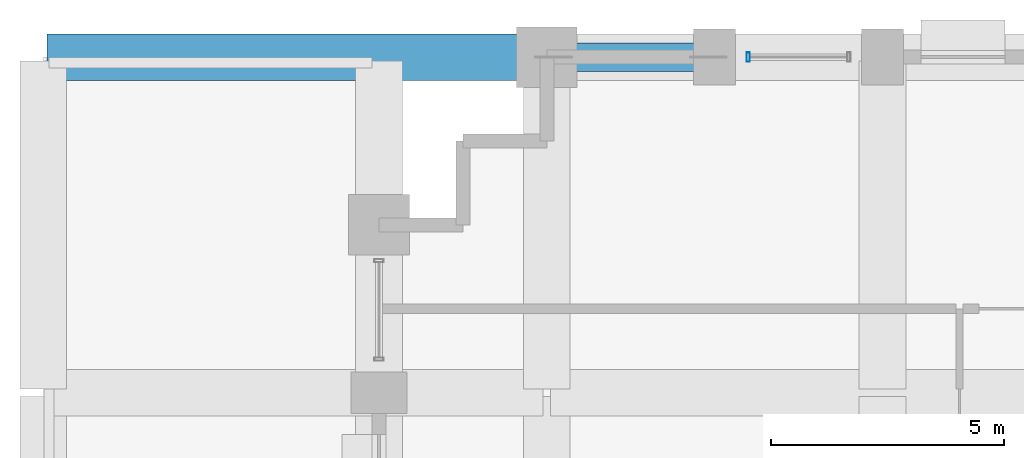
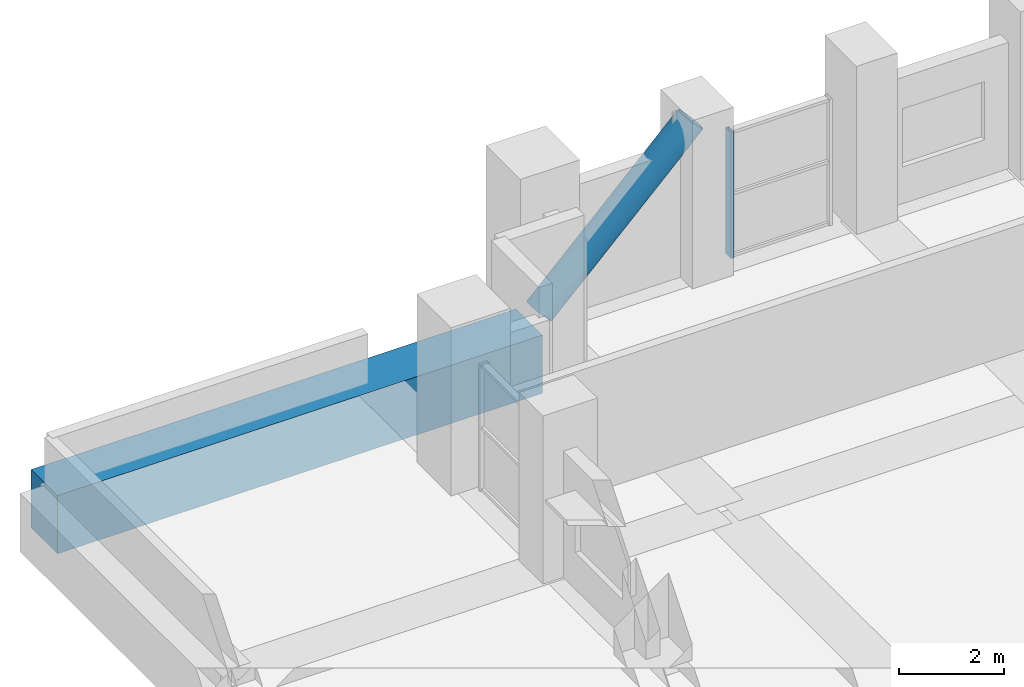
# One storey, part 28 of 39: 2 members, 1 beam, 1 element without a shape of its own.
"""IFC4 building model written with IfcOpenShell, lengths in metres."""

from ifc_helpers import new_model, si_unit, direction, frame, origin, origin_2d, place, context, subcontext, project, spatial, rectangle, hollow_rectangle, hollow_circle, extrude, material, layer, layer_set, material_profile, profile_set, type_object, element, aggregate, save


model = new_model("IFC4")

# Units and contexts
model_context = context("Model", 3, precision=1e-05, world=origin(), true_north=direction((0.0, 1.0)))
body_context = subcontext(model_context, "Body", "Model", "MODEL_VIEW")
ifc_project = project(units=[si_unit("LENGTHUNIT", "METRE"), si_unit("AREAUNIT", "SQUARE_METRE"), si_unit("VOLUMEUNIT", "CUBIC_METRE"), si_unit("PLANEANGLEUNIT", "RADIAN"), si_unit("MASSUNIT", "GRAM", prefix="KILO")], contexts=[model_context])

# Site, building, storey
site_placement = place(None, origin())
site = spatial("IfcSite", under=ifc_project, at=site_placement, CompositionType="ELEMENT")
building_placement = place(site_placement, origin())
building = spatial("IfcBuilding", under=site, at=building_placement, Name="Solnavia Interchange Tower", CompositionType="ELEMENT")
storey_placement = place(building_placement, frame((0.0, 0.0, 24.0)))
storey = spatial("IfcBuildingStorey", under=building, at=storey_placement, Name="L05", CompositionType="ELEMENT", Elevation=24.0)

# Beam
ifc_material_1 = material(Name="Concrete C60/75", Category="concrete")
ifc_material_profile_1 = material_profile(ifc_material_1, rectangle(XDim=1.0, YDim=1.35009765625, at=origin_2d()), Name="RC 1000x1350")
ifc_profile_set_1 = profile_set([ifc_material_profile_1], Name="Concrete C60/75")
beam_type = type_object("IfcBeamType", Name="Beam-Transfer-RC1000x1350", PredefinedType="BEAM", material=ifc_profile_set_1)
beam_placement = place(storey_placement, frame((0.080078125, 50.39990234375, -0.675048828125), z_axis=(1.0, 0.0, 0.0), x_axis=(0.0, 1.0, 0.0)))
element("IfcBeam", 1, at=beam_placement, inside=storey, type_object=beam_type, Name="TRB-L05-27 North primary transfer girder", PredefinedType="BEAM", context=body_context, shape_type="SweptSolid", body=[
    extrude(rectangle(XDim=1.0, YDim=1.35009765625, at=origin_2d()), origin(), (0.0, 0.0, 1.0), 10.639892578125),
])

# Member
ifc_material_2 = material(Name="Steel S460", Category="steel")
ifc_material_profile_2 = material_profile(ifc_material_2, hollow_circle(Radius=0.304931640625, WallThickness=0.02490234375, at=origin_2d()), Name="CHS 610x25")
ifc_profile_set_2 = profile_set([ifc_material_profile_2], Name="Steel S460")
member_type_1 = type_object("IfcMemberType", Name="Brace-Perim-CHS610", PredefinedType="BRACE", material=ifc_profile_set_2)
member_1_placement = place(storey_placement, frame((10.93994140625, 50.39990234375, 0.179931640625), z_axis=(0.710311792477, 0.0, 0.703887176661), x_axis=(0.0, 1.0, 0.0)))
element("IfcMember", 2, at=member_1_placement, inside=storey, type_object=member_type_1, Name="BRC-L05-03 Perimeter tube diagonal brace", PredefinedType="BRACE", context=body_context, shape_type="SweptSolid", body=[
    extrude(hollow_circle(Radius=0.304931640625, WallThickness=0.02490234375, at=origin_2d()), origin(), (0.0, 0.0, 1.0), 4.674072265625),
])

# Curtain wall, member
ifc_material_3 = material(Name="Aluminium Alloy 6063-T6", Category="aluminium")
ifc_layer = layer(ifc_material_3, 0.219970703125)
ifc_layer_set = layer_set([ifc_layer], Name="Aluminium Alloy 6063-T6")
curtain_wall_type = type_object("IfcCurtainWallType", Name="CurtainWall-Tower-CTW3", PredefinedType="NOTDEFINED", material=ifc_layer_set)
curtain_wall_placement = place(storey_placement, origin())
curtain_wall = element("IfcCurtainWall", 3, at=curtain_wall_placement, inside=storey, type_object=curtain_wall_type, Name="CTW-L05-S44 CTW-3 curtain wall", PredefinedType="NOTDEFINED")
ifc_material_profile_3 = material_profile(ifc_material_3, hollow_rectangle(XDim=0.070068359375, YDim=0.199951171875, WallThickness=0.0048828125, at=origin_2d()), Name="ALU 200x70x5")
ifc_profile_set_3 = profile_set([ifc_material_profile_3], Name="Aluminium Alloy 6063-T6")
member_type_2 = type_object("IfcMemberType", Name="CW-Mullion-CWM-3", PredefinedType="MULLION", material=ifc_profile_set_3)
member_2_placement = place(storey_placement, frame((15.1201171875, 50.39990234375, 0.0), z_axis=(0.0, 0.0, 1.0), x_axis=(-1.0, 0.0, 0.0)))
member_2 = element("IfcMember", 4, at=member_2_placement, type_object=member_type_2, Name="CTW-3 mullion 2", PredefinedType="MULLION", context=body_context, shape_type="SweptSolid", body=[
    extrude(hollow_rectangle(XDim=0.070068359375, YDim=0.199951171875, WallThickness=0.0048828125, at=origin_2d()), origin(), (0.0, 0.0, 1.0), 2.929931640625),
])
aggregate(curtain_wall, [member_2])

save(model, "model.ifc")
